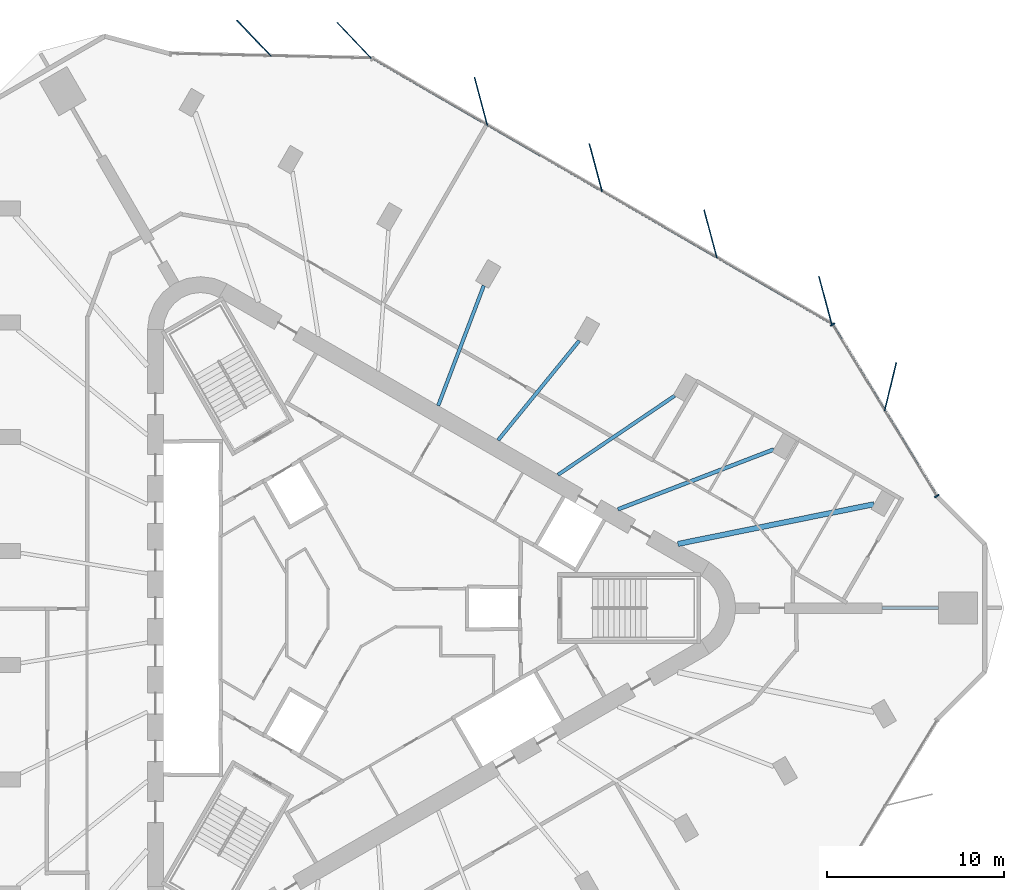
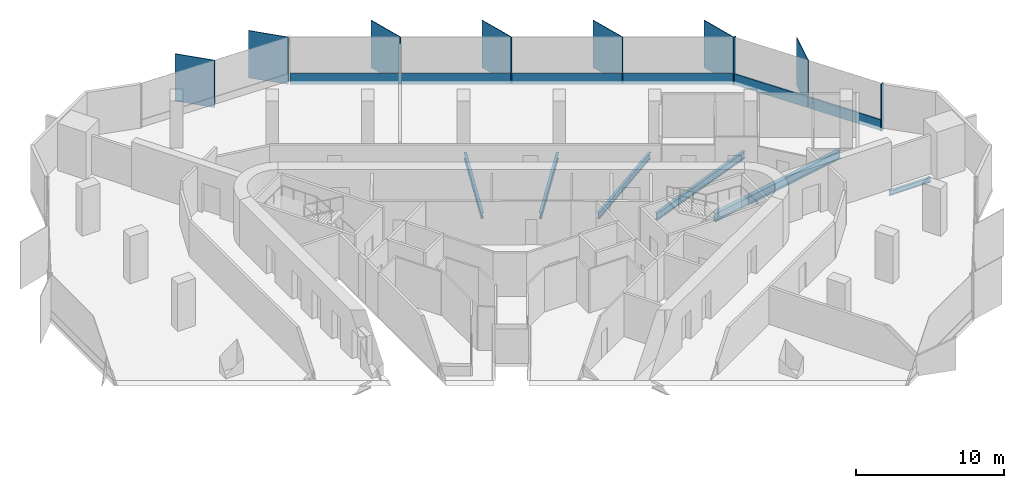
# One storey, part 5 of 12: 15 members, 6 beams, 3 elements without a shape of their own.
"""IFC4 building model written with IfcOpenShell, lengths in metres."""

from ifc_helpers import new_model, si_unit, direction, frame, origin, origin_2d, place, context, subcontext, project, spatial, rectangle, i_section, extrude, material, material_profile, profile_set, type_object, element, aggregate, save


model = new_model("IFC4")

# Units and contexts
model_context = context("Model", 3, precision=1e-05, world=origin(), true_north=direction((0.0, 1.0)))
body_context = subcontext(model_context, "Body", "Model", "MODEL_VIEW")
ifc_project = project(units=[si_unit("LENGTHUNIT", "METRE"), si_unit("AREAUNIT", "SQUARE_METRE"), si_unit("VOLUMEUNIT", "CUBIC_METRE"), si_unit("PLANEANGLEUNIT", "RADIAN"), si_unit("MASSUNIT", "GRAM", prefix="KILO")], contexts=[model_context])

# Site, building, storey
site_placement = place(None, origin())
site = spatial("IfcSite", under=ifc_project, at=site_placement, CompositionType="ELEMENT")
building_placement = place(site_placement, origin())
building = spatial("IfcBuilding", under=site, at=building_placement, Name="Tanit Gate Tower", CompositionType="ELEMENT")
storey_placement = place(building_placement, frame((0.0, 0.0, 337.699951171875)))
storey = spatial("IfcBuildingStorey", under=building, at=storey_placement, Name="L76", CompositionType="ELEMENT", Elevation=337.699951171875)

# Curtain wall, member
ifc_material_1 = material(Name="Aluminium bronze anodised and glass", Category="aluminium")
curtain_wall_type = type_object("IfcCurtainWallType", Name="Curtain wall typical high", PredefinedType="NOTDEFINED", material=ifc_material_1)
curtain_wall_1_placement = place(storey_placement, origin())
curtain_wall_1 = element("IfcCurtainWall", 1, at=curtain_wall_1_placement, inside=storey, type_object=curtain_wall_type, Name="Curtain wall L76 NE1", PredefinedType="NOTDEFINED")
ifc_material_2 = material(Name="Aluminium bronze anodised", Category="aluminium")
ifc_material_profile_1 = material_profile(ifc_material_2, rectangle(XDim=2.800048828125, YDim=0.055908203125, at=origin_2d()), Name="56x2800 bronze fin mullion")
ifc_profile_set_1 = profile_set([ifc_material_profile_1], Name="Aluminium bronze anodised")
member_type_1 = type_object("IfcMemberType", Name="FIN MULLION 56x2800 bronze", PredefinedType="MULLION", material=ifc_profile_set_1)
member_1_placement = place(storey_placement, frame((29.96044921875, 12.53466796875, -0.300048828125), z_axis=(0.0, 0.0, 1.0), x_axis=(-0.236495508607, -0.971632582002, 0.0)))
member_1 = element("IfcMember", 2, at=member_1_placement, type_object=member_type_1, Name="Fin mullion L76 NE1.2", PredefinedType="MULLION", context=body_context, shape_type="SweptSolid", body=[
    extrude(rectangle(XDim=2.800048828125, YDim=0.055908203125, at=origin_2d()), origin(), (0.0, 0.0, 1.0), 3.900146484375),
])

# Curtain wall, members
curtain_wall_2_placement = place(storey_placement, origin())
curtain_wall_2 = element("IfcCurtainWall", 3, at=curtain_wall_2_placement, inside=storey, type_object=curtain_wall_type, Name="Curtain wall L76 NE2", PredefinedType="NOTDEFINED")
member_2_placement = place(storey_placement, frame((26.2685546875, 17.43408203125, -0.300048828125), z_axis=(0.0, 0.0, 1.0), x_axis=(0.25875206837, -0.965943770162, 0.0)))
member_2 = element("IfcMember", 4, at=member_2_placement, type_object=member_type_1, Name="Fin mullion L76 NE2.1", PredefinedType="MULLION", context=body_context, shape_type="SweptSolid", body=[
    extrude(rectangle(XDim=2.800048828125, YDim=0.055908203125, at=origin_2d()), origin(), (0.0, 0.0, 1.0), 3.900146484375),
])
member_3_placement = place(storey_placement, frame((19.77001953125, 21.1865234375, -0.300048828125), z_axis=(0.0, 0.0, 1.0), x_axis=(0.25875206837, -0.965943770162, 0.0)))
member_3 = element("IfcMember", 5, at=member_3_placement, type_object=member_type_1, Name="Fin mullion L76 NE2.2", PredefinedType="MULLION", context=body_context, shape_type="SweptSolid", body=[
    extrude(rectangle(XDim=2.800048828125, YDim=0.055908203125, at=origin_2d()), origin(), (0.0, 0.0, 1.0), 3.900146484375),
])
member_4_placement = place(storey_placement, frame((13.271728515625, 24.93896484375, -0.300048828125), z_axis=(0.0, 0.0, 1.0), x_axis=(0.25875206837, -0.965943770162, 0.0)))
member_4 = element("IfcMember", 6, at=member_4_placement, type_object=member_type_1, Name="Fin mullion L76 NE2.3", PredefinedType="MULLION", context=body_context, shape_type="SweptSolid", body=[
    extrude(rectangle(XDim=2.800048828125, YDim=0.055908203125, at=origin_2d()), origin(), (0.0, 0.0, 1.0), 3.900146484375),
])
member_5_placement = place(storey_placement, frame((6.7734375, 28.69140625, -0.300048828125), z_axis=(0.0, 0.0, 1.0), x_axis=(0.25875206837, -0.965943770162, 0.0)))
member_5 = element("IfcMember", 7, at=member_5_placement, type_object=member_type_1, Name="Fin mullion L76 NE2.4", PredefinedType="MULLION", context=body_context, shape_type="SweptSolid", body=[
    extrude(rectangle(XDim=2.800048828125, YDim=0.055908203125, at=origin_2d()), origin(), (0.0, 0.0, 1.0), 3.900146484375),
])

curtain_wall_3_placement = place(storey_placement, origin())
curtain_wall_3 = element("IfcCurtainWall", 8, at=curtain_wall_3_placement, inside=storey, type_object=curtain_wall_type, Name="Curtain wall L76 NE3", PredefinedType="NOTDEFINED")
member_6_placement = place(storey_placement, frame((-0.39599609375, 32.129638671875, -0.300048828125), z_axis=(0.0, 0.0, 1.0), x_axis=(0.690743181082, -0.723100171338, 0.0)))
member_6 = element("IfcMember", 9, at=member_6_placement, type_object=member_type_1, Name="Fin mullion L76 NE3.1", PredefinedType="MULLION", context=body_context, shape_type="SweptSolid", body=[
    extrude(rectangle(XDim=2.800048828125, YDim=0.055908203125, at=origin_2d()), origin(), (0.0, 0.0, 1.0), 3.900146484375),
])
member_7_placement = place(storey_placement, frame((-6.075927734375, 32.259765625, -0.300048828125), z_axis=(0.0, 0.0, 1.0), x_axis=(0.690743181082, -0.723100171338, 0.0)))
member_7 = element("IfcMember", 10, at=member_7_placement, type_object=member_type_1, Name="Fin mullion L76 NE3.2", PredefinedType="MULLION", context=body_context, shape_type="SweptSolid", body=[
    extrude(rectangle(XDim=2.800048828125, YDim=0.055908203125, at=origin_2d()), origin(), (0.0, 0.0, 1.0), 3.900146484375),
])
aggregate(curtain_wall_3, [member_6, member_7])

# Member
ifc_material_3 = material(Name="Aluminium bronze anodised", Category="aluminium")
ifc_material_profile_2 = material_profile(ifc_material_3, rectangle(XDim=0.280029296875, YDim=0.080078125, at=origin_2d()), Name="80x280 bronze mullion")
ifc_profile_set_2 = profile_set([ifc_material_profile_2], Name="Aluminium bronze anodised")
member_type_2 = type_object("IfcMemberType", Name="Mullion 80x280 typical high", PredefinedType="MULLION", material=ifc_profile_set_2)
member_8_placement = place(storey_placement, frame((32.587158203125, 6.340576171875, -0.300048828125), z_axis=(0.0, 0.0, 1.0), x_axis=(-0.854275565412, -0.519820409699, 0.0)))
member_8 = element("IfcMember", 11, at=member_8_placement, type_object=member_type_2, Name="Mullion L76 NE1.1", PredefinedType="MULLION", context=body_context, shape_type="SweptSolid", body=[
    extrude(rectangle(XDim=0.280029296875, YDim=0.080078125, at=origin_2d()), origin(), (0.0, 0.0, 1.0), 3.900146484375),
])

member_9_placement = place(storey_placement, frame((26.68115234375, 16.046875, -0.300048828125), z_axis=(0.0, 0.0, 1.0), x_axis=(-0.854275565412, -0.519820409699, 0.0)))
member_9 = element("IfcMember", 12, at=member_9_placement, type_object=member_type_2, Name="Mullion L76 NE1.3", PredefinedType="MULLION", context=body_context, shape_type="SweptSolid", body=[
    extrude(rectangle(XDim=0.280029296875, YDim=0.080078125, at=origin_2d()), origin(), (0.0, 0.0, 1.0), 3.900146484375),
])

# Beams
ifc_material_4 = material(Name="Steel S355", Category="steel")
ifc_material_profile_3 = material_profile(ifc_material_4, i_section(OverallWidth=0.300048828125, OverallDepth=0.68994140625, WebThickness=0.014404296875, FlangeThickness=0.027099609375, FilletRadius=0.027099609375, at=origin_2d()), Name="HEA 700")
ifc_profile_set_3 = profile_set([ifc_material_profile_3], Name="Steel S355")
beam_type_1 = type_object("IfcBeamType", Name="RADIAL GIRDER HEA 700 S355", PredefinedType="BEAM", material=ifc_profile_set_3)
beam_1_placement = place(storey_placement, frame((29.02587890625, 5.876953125, -0.64501953125), z_axis=(-0.980109678628, -0.198456589357, 0.0), x_axis=(0.198456589357, -0.980109678628, 0.0)))
element("IfcBeam", 13, at=beam_1_placement, inside=storey, type_object=beam_type_1, Name="RADIAL GIRDER", PredefinedType="BEAM", context=body_context, shape_type="SweptSolid", body=[
    extrude(i_section(OverallWidth=0.300048828125, OverallDepth=0.68994140625, WebThickness=0.014404296875, FlangeThickness=0.027099609375, FilletRadius=0.027099609375, at=origin_2d()), origin(), (0.0, 0.0, 1.0), 11.331298828125),
])
ifc_material_5 = material(Name="Steel S355", Category="steel")
ifc_material_profile_4 = material_profile(ifc_material_5, i_section(OverallWidth=0.179931640625, OverallDepth=0.39990234375, WebThickness=0.008544921875, FlangeThickness=0.013427734375, FilletRadius=0.02099609375, at=origin_2d()), Name="IPE 400")
ifc_profile_set_4 = profile_set([ifc_material_profile_4], Name="Steel S355")
beam_type_2 = type_object("IfcBeamType", Name="RADIAL GIRDER IPE 400 S355", PredefinedType="BEAM", material=ifc_profile_set_4)
beam_2_placement = place(storey_placement, frame((32.687255859375, 0.0, -0.5), z_axis=(-1.0, 0.0, 0.0), x_axis=(0.0, -1.0, 0.0)))
element("IfcBeam", 14, at=beam_2_placement, inside=storey, type_object=beam_type_2, Name="RADIAL GIRDER", PredefinedType="BEAM", context=body_context, shape_type="SweptSolid", body=[
    extrude(i_section(OverallWidth=0.179931640625, OverallDepth=0.39990234375, WebThickness=0.008544921875, FlangeThickness=0.013427734375, FilletRadius=0.02099609375, at=origin_2d()), origin(), (0.0, 0.0, 1.0), 3.216552734375),
])
ifc_material_6 = material(Name="Steel S355", Category="steel")
ifc_material_profile_5 = material_profile(ifc_material_6, i_section(OverallWidth=0.199951171875, OverallDepth=0.5, WebThickness=0.01025390625, FlangeThickness=0.01611328125, FilletRadius=0.02099609375, at=origin_2d()), Name="IPE 500")
ifc_profile_set_5 = profile_set([ifc_material_profile_5], Name="Steel S355")
beam_type_3 = type_object("IfcBeamType", Name="RADIAL GIRDER IPE 500 S355", PredefinedType="BEAM", material=ifc_profile_set_5)
beam_3_placement = place(storey_placement, frame((17.741455078125, 12.016845703125, -0.550048828125), z_axis=(-0.827954450749, -0.560795352589, 0.0), x_axis=(0.560795352589, -0.827954450749, 0.0)))
element("IfcBeam", 15, at=beam_3_placement, inside=storey, type_object=beam_type_3, Name="RADIAL GIRDER", PredefinedType="BEAM", context=body_context, shape_type="SweptSolid", body=[
    extrude(i_section(OverallWidth=0.199951171875, OverallDepth=0.5, WebThickness=0.01025390625, FlangeThickness=0.01611328125, FilletRadius=0.02099609375, at=origin_2d()), origin(), (0.0, 0.0, 1.0), 7.97607421875),
])
for number, where, z_axis, x_axis, name in (
    (16, (12.339599609375, 15.135498046875, -0.550048828125), (-0.631881514108, -0.775064998648, 0.0), (0.775064998648, -0.631881514108, 0.0), "RADIAL GIRDER"),
    (17, (6.93798828125, 18.25439453125, -0.550048828125), (-0.355282914481, -0.934758819524, 0.0), (0.934758819524, -0.355282914481, 0.0), "RADIAL GIRDER"),
):
    element("IfcBeam", number, at=place(storey_placement, frame(where, z_axis=z_axis, x_axis=x_axis)), inside=storey, type_object=beam_type_3, Name=name, PredefinedType="BEAM", context=body_context, shape_type="SweptSolid", body=[
        extrude(i_section(OverallWidth=0.199951171875, OverallDepth=0.5, WebThickness=0.01025390625, FlangeThickness=0.01611328125, FilletRadius=0.02099609375, at=origin_2d()), origin(), (0.0, 0.0, 1.0), 7.268798828125),
    ])
ifc_material_7 = material(Name="Steel S355", Category="steel")
ifc_material_profile_6 = material_profile(ifc_material_7, i_section(OverallWidth=0.219970703125, OverallDepth=0.60009765625, WebThickness=0.011962890625, FlangeThickness=0.01904296875, FilletRadius=0.02392578125, at=origin_2d()), Name="IPE 600")
ifc_profile_set_6 = profile_set([ifc_material_profile_6], Name="Steel S355")
beam_type_4 = type_object("IfcBeamType", Name="RADIAL GIRDER IPE 600 S355", PredefinedType="BEAM", material=ifc_profile_set_6)
beam_4_placement = place(storey_placement, frame((23.352783203125, 8.978759765625, -0.599853515625), z_axis=(-0.933390193585, -0.358863130622, 0.0), x_axis=(0.358863130622, -0.933390193585, 0.0)))
element("IfcBeam", 18, at=beam_4_placement, inside=storey, type_object=beam_type_4, Name="RADIAL GIRDER", PredefinedType="BEAM", context=body_context, shape_type="SweptSolid", body=[
    extrude(i_section(OverallWidth=0.219970703125, OverallDepth=0.60009765625, WebThickness=0.011962890625, FlangeThickness=0.01904296875, FilletRadius=0.02392578125, at=origin_2d()), origin(), (0.0, 0.0, 1.0), 9.45361328125),
])

# Member
ifc_material_8 = material(Name="Aluminium bronze anodised", Category="aluminium")
ifc_material_profile_7 = material_profile(ifc_material_8, rectangle(XDim=0.1201171875, YDim=0.89990234375, at=origin_2d()), Name="120x900 bronze transom")
ifc_profile_set_7 = profile_set([ifc_material_profile_7], Name="Aluminium bronze anodised")
member_type_3 = type_object("IfcMemberType", Name="Transom 120x900 typical high", PredefinedType="USERDEFINED", material=ifc_profile_set_7)
member_10_placement = place(storey_placement, frame((32.56640625, 6.374755859375, 0.150146484375), z_axis=(-0.519812803003, 0.854280193984, 0.0), x_axis=(-0.854280193984, -0.519812803003, 0.0)))
member_10 = element("IfcMember", 19, at=member_10_placement, type_object=member_type_3, Name="Transom L76 NE1.1", ObjectType="TRANSOM", PredefinedType="USERDEFINED", context=body_context, shape_type="SweptSolid", body=[
    extrude(rectangle(XDim=0.1201171875, YDim=0.89990234375, at=origin_2d()), origin(), (0.0, 0.0, 1.0), 5.600830078125),
])

member_11_placement = place(storey_placement, frame((29.61328125, 11.227783203125, 0.150146484375), z_axis=(-0.519793446687, 0.854291971624, 0.0), x_axis=(-0.854291971624, -0.519793446687, 0.0)))
member_11 = element("IfcMember", 20, at=member_11_placement, type_object=member_type_3, Name="Transom L76 NE1.2", ObjectType="TRANSOM", PredefinedType="USERDEFINED", context=body_context, shape_type="SweptSolid", body=[
    extrude(rectangle(XDim=0.1201171875, YDim=0.89990234375, at=origin_2d()), origin(), (0.0, 0.0, 1.0), 5.60107421875),
])

aggregate(curtain_wall_1, [member_8, member_1, member_9, member_10, member_11])

member_12_placement = place(storey_placement, frame((26.591064453125, 16.120849609375, 0.150146484375), z_axis=(-0.865981856165, 0.500075419105, 0.0), x_axis=(-0.500075419105, -0.865981856165, 0.0)))
member_12 = element("IfcMember", 21, at=member_12_placement, type_object=member_type_3, Name="Transom L76 NE2.1", ObjectType="TRANSOM", PredefinedType="USERDEFINED", context=body_context, shape_type="SweptSolid", body=[
    extrude(rectangle(XDim=0.1201171875, YDim=0.89990234375, at=origin_2d()), origin(), (0.0, 0.0, 1.0), 7.424072265625),
])

member_13_placement = place(storey_placement, frame((20.092529296875, 19.873291015625, 0.150146484375), z_axis=(-0.865973632195, 0.500089660304, 0.0), x_axis=(-0.500089660304, -0.865973632195, 0.0)))
member_13 = element("IfcMember", 22, at=member_13_placement, type_object=member_type_3, Name="Transom L76 NE2.2", ObjectType="TRANSOM", PredefinedType="USERDEFINED", context=body_context, shape_type="SweptSolid", body=[
    extrude(rectangle(XDim=0.1201171875, YDim=0.89990234375, at=origin_2d()), origin(), (0.0, 0.0, 1.0), 7.424072265625),
])

member_14_placement = place(storey_placement, frame((13.59423828125, 23.6259765625, 0.150146484375), z_axis=(-0.86599609691, 0.500050757561, 0.0), x_axis=(-0.500050757561, -0.86599609691, 0.0)))
member_14 = element("IfcMember", 23, at=member_14_placement, type_object=member_type_3, Name="Transom L76 NE2.3", ObjectType="TRANSOM", PredefinedType="USERDEFINED", context=body_context, shape_type="SweptSolid", body=[
    extrude(rectangle(XDim=0.1201171875, YDim=0.89990234375, at=origin_2d()), origin(), (0.0, 0.0, 1.0), 7.424072265625),
])

member_15_placement = place(storey_placement, frame((7.095703125, 27.37841796875, 0.150146484375), z_axis=(-0.865987873615, 0.500064998526, 0.0), x_axis=(-0.500064998526, -0.865987873615, 0.0)))
member_15 = element("IfcMember", 24, at=member_15_placement, type_object=member_type_3, Name="Transom L76 NE2.4", ObjectType="TRANSOM", PredefinedType="USERDEFINED", context=body_context, shape_type="SweptSolid", body=[
    extrude(rectangle(XDim=0.1201171875, YDim=0.89990234375, at=origin_2d()), origin(), (0.0, 0.0, 1.0), 7.423828125),
])

aggregate(curtain_wall_2, [member_2, member_3, member_4, member_5, member_12, member_13, member_14, member_15])

save(model, "model.ifc")
